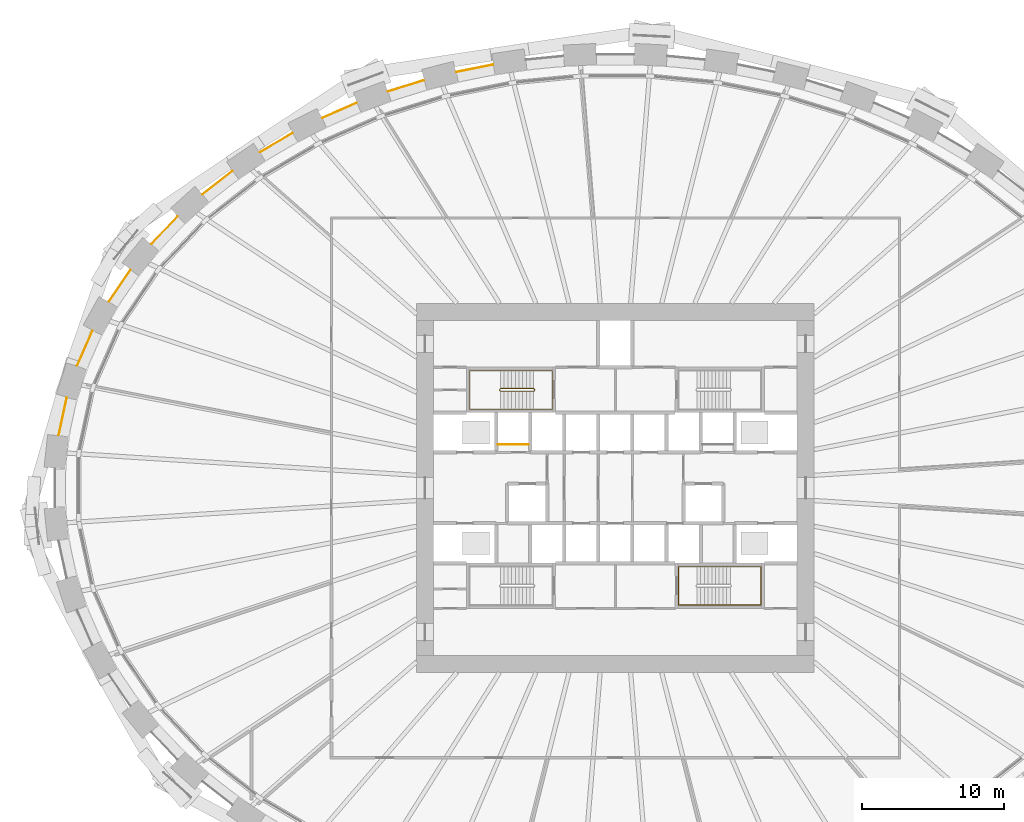
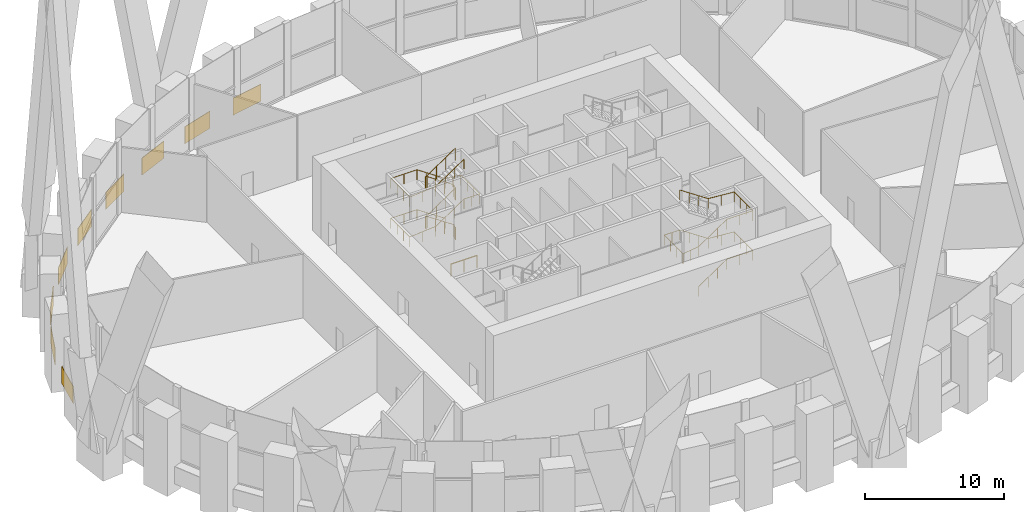
# One storey, part 15 of 17: 9 coverings, 4 railings.
"""IFC4 building model written with IfcOpenShell, lengths in metres."""

from ifc_helpers import new_model, si_unit, direction, frame, origin, origin_2d, place, context, subcontext, project, spatial, rectangle, circle, extrude, source, transform, mapped, material, layer, layer_set, type_object, element, save


model = new_model("IFC4")

# Units and contexts
model_context = context("Model", 3, precision=1e-05, world=origin(), true_north=direction((0.0, 1.0)))
body_context = subcontext(model_context, "Body", "Model", "MODEL_VIEW")
ifc_project = project(units=[si_unit("LENGTHUNIT", "METRE"), si_unit("AREAUNIT", "SQUARE_METRE"), si_unit("VOLUMEUNIT", "CUBIC_METRE"), si_unit("PLANEANGLEUNIT", "RADIAN"), si_unit("MASSUNIT", "GRAM", prefix="KILO")], contexts=[model_context])

# Site, building, storey
site_placement = place(None, origin())
site = spatial("IfcSite", under=ifc_project, at=site_placement, CompositionType="ELEMENT")
building_placement = place(site_placement, origin())
building = spatial("IfcBuilding", under=site, at=building_placement, Name="Embergate Tower", CompositionType="ELEMENT")
storey_placement = place(building_placement, frame((0.0, 0.0, 125.0)))
storey = spatial("IfcBuildingStorey", under=building, at=storey_placement, Name="L27", CompositionType="ELEMENT", Elevation=125.0)

# Coverings
ifc_material_1 = material(Name="Terracotta rainscreen on insulated backing", Category="masonry")
ifc_layer = layer(ifc_material_1, 0.0400390625)
ifc_layer_set = layer_set([ifc_layer], Name="Terracotta rainscreen on insulated backing")
covering_type = type_object("IfcCoveringType", Name="Terracotta rainscreen band", PredefinedType="CLADDING", material=ifc_layer_set)
shared_shape_1 = source(origin(), body_context, "Body", "SweptSolid", [
    extrude(rectangle(XDim=2.6923828125, YDim=0.0400390625, at=origin_2d()), origin(), (0.0, 0.0, 1.0), 1.5),
])
covering_1_placement = place(storey_placement, frame((-38.921142578125, 5.02783203125, -0.75), z_axis=(0.0, 0.0, 1.0), x_axis=(-0.21059460699, -0.977573481385, 0.0)))
element("IfcCovering", 1, at=covering_1_placement, inside=storey, type_object=covering_type, Name="Rainscreen band 21", PredefinedType="CLADDING", context=body_context, shape_type="MappedRepresentation", body=[
    mapped(shared_shape_1, transform((0.0, 0.0, 0.0))),
])
shared_shape_2 = source(origin(), body_context, "Body", "SweptSolid", [
    extrude(rectangle(XDim=2.689453125, YDim=0.0400390625, at=origin_2d()), origin(), (0.0, 0.0, 1.0), 1.5),
])
covering_2_placement = place(storey_placement, frame((-37.367919921875, 9.833984375, -0.75), z_axis=(0.0, 0.0, 1.0), x_axis=(-0.401580173757, -0.915823871738, 0.0)))
element("IfcCovering", 2, at=covering_2_placement, inside=storey, type_object=covering_type, Name="Rainscreen band 20", PredefinedType="CLADDING", context=body_context, shape_type="MappedRepresentation", body=[
    mapped(shared_shape_2, transform((0.0, 0.0, 0.0))),
])
shared_shape_3 = source(origin(), body_context, "Body", "SweptSolid", [
    extrude(rectangle(XDim=2.678466796875, YDim=0.0400390625, at=origin_2d()), origin(), (0.0, 0.0, 1.0), 1.5),
])
covering_3_placement = place(storey_placement, frame((-34.910888671875, 14.234619140625, -0.75), z_axis=(0.0, 0.0, 1.0), x_axis=(-0.562259475515, -0.826960871017, 0.0)))
element("IfcCovering", 3, at=covering_3_placement, inside=storey, type_object=covering_type, Name="Rainscreen band 19", PredefinedType="CLADDING", context=body_context, shape_type="MappedRepresentation", body=[
    mapped(shared_shape_3, transform((0.0, 0.0, 0.0))),
])
shared_shape_4 = source(origin(), body_context, "Body", "SweptSolid", [
    extrude(rectangle(XDim=2.673583984375, YDim=0.0400390625, at=origin_2d()), origin(), (0.0, 0.0, 1.0), 1.5),
])
covering_4_placement = place(storey_placement, frame((-31.751220703125, 18.145751953125, -0.75), z_axis=(0.0, 0.0, 1.0), x_axis=(-0.690075681341, -0.723737213374, 0.0)))
element("IfcCovering", 4, at=covering_4_placement, inside=storey, type_object=covering_type, Name="Rainscreen band 18", PredefinedType="CLADDING", context=body_context, shape_type="MappedRepresentation", body=[
    mapped(shared_shape_4, transform((0.0, 0.0, 0.0))),
])
shared_shape_5 = source(origin(), body_context, "Body", "SweptSolid", [
    extrude(rectangle(XDim=2.666015625, YDim=0.0400390625, at=origin_2d()), origin(), (0.0, 0.0, 1.0), 1.5),
])
covering_5_placement = place(storey_placement, frame((-28.020263671875, 21.4990234375, -0.75), z_axis=(0.0, 0.0, 1.0), x_axis=(-0.788097782822, -0.615550066778, 0.0)))
element("IfcCovering", 5, at=covering_5_placement, inside=storey, type_object=covering_type, Name="Rainscreen band 17", PredefinedType="CLADDING", context=body_context, shape_type="MappedRepresentation", body=[
    mapped(shared_shape_5, transform((0.0, 0.0, 0.0))),
])
shared_shape_6 = source(origin(), body_context, "Body", "SweptSolid", [
    extrude(rectangle(XDim=2.6611328125, YDim=0.0400390625, at=origin_2d()), origin(), (0.0, 0.0, 1.0), 1.5),
])
covering_6_placement = place(storey_placement, frame((-23.880615234375, 24.314453125, -0.75), z_axis=(0.0, 0.0, 1.0), x_axis=(-0.862001858681, -0.506905115017, 0.0)))
element("IfcCovering", 6, at=covering_6_placement, inside=storey, type_object=covering_type, Name="Rainscreen band 16", PredefinedType="CLADDING", context=body_context, shape_type="MappedRepresentation", body=[
    mapped(shared_shape_6, transform((0.0, 0.0, 0.0))),
])
shared_shape_7 = source(origin(), body_context, "Body", "SweptSolid", [
    extrude(rectangle(XDim=2.658203125, YDim=0.0400390625, at=origin_2d()), origin(), (0.0, 0.0, 1.0), 1.5),
])
covering_7_placement = place(storey_placement, frame((-19.427001953125, 26.587158203125, -0.75), z_axis=(0.0, 0.0, 1.0), x_axis=(-0.916399060314, -0.400265864465, 0.0)))
element("IfcCovering", 7, at=covering_7_placement, inside=storey, type_object=covering_type, Name="Rainscreen band 15", PredefinedType="CLADDING", context=body_context, shape_type="MappedRepresentation", body=[
    mapped(shared_shape_7, transform((0.0, 0.0, 0.0))),
])
shared_shape_8 = source(origin(), body_context, "Body", "SweptSolid", [
    extrude(rectangle(XDim=2.654296875, YDim=0.0400390625, at=origin_2d()), origin(), (0.0, 0.0, 1.0), 1.5),
])
covering_8_placement = place(storey_placement, frame((-14.7421875, 28.313232421875, -0.75), z_axis=(0.0, 0.0, 1.0), x_axis=(-0.954680836388, -0.297631484614, 0.0)))
element("IfcCovering", 8, at=covering_8_placement, inside=storey, type_object=covering_type, Name="Rainscreen band 14", PredefinedType="CLADDING", context=body_context, shape_type="MappedRepresentation", body=[
    mapped(shared_shape_8, transform((0.0, 0.0, 0.0))),
])
shared_shape_9 = source(origin(), body_context, "Body", "SweptSolid", [
    extrude(rectangle(XDim=2.65185546875, YDim=0.0400390625, at=origin_2d()), origin(), (0.0, 0.0, 1.0), 1.5),
])
covering_9_placement = place(storey_placement, frame((-9.90869140625, 29.546875, -0.75), z_axis=(0.0, 0.0, 1.0), x_axis=(-0.980435388988, -0.196841174605, 0.0)))
element("IfcCovering", 9, at=covering_9_placement, inside=storey, type_object=covering_type, Name="Rainscreen band 13", PredefinedType="CLADDING", context=body_context, shape_type="MappedRepresentation", body=[
    mapped(shared_shape_9, transform((0.0, 0.0, 0.0))),
])

# Railings
ifc_material_2 = material(Name="Stair guard 1100")
railing_type_1 = type_object("IfcRailingType", Name="Stair guard 1100", PredefinedType="GUARDRAIL", material=ifc_material_2)
shared_shape_10 = source(origin(), body_context, "Body", "SweptSolid", [
    extrude(circle(Radius=0.02392578125, at=origin_2d()), frame((0.0, 0.0, 1.076171875), z_axis=(0.0, 1.0, 0.0), x_axis=(-1.0, 0.0, 0.0)), (0.0, 0.0, 1.0), 0.099853515625),
    extrude(circle(Radius=0.02392578125, at=origin_2d()), frame((0.0, 0.099853515625, 1.076171875), z_axis=(-0.265065253269, 0.265065253269, 0.927081885822), x_axis=(-0.707106781187, -0.707106781187, 0.0)), (0.0, 0.0, 1.0), 0.188720703125),
    extrude(circle(Radius=0.02392578125, at=origin_2d()), frame((-0.050048828125, 0.14990234375, 1.2509765625), z_axis=(-0.829605480656, 0.0, 0.558350021462), x_axis=(0.0, -1.0, 0.0)), (0.0, 0.0, 1.0), 2.82080078125),
    extrude(circle(Radius=0.02392578125, at=origin_2d()), frame((-2.39013671875, 0.14990234375, 2.826171875), z_axis=(-0.705375805398, -0.708833529934, 0.0), x_axis=(0.708833529934, -0.705375805398, 0.0)), (0.0, 0.0, 1.0), 0.070556640625),
    extrude(circle(Radius=0.02392578125, at=origin_2d()), frame((-2.43994140625, 0.099853515625, 2.826171875), z_axis=(0.0, -1.0, 0.0), x_axis=(1.0, 0.0, 0.0)), (0.0, 0.0, 1.0), 0.099853515625),
    extrude(circle(Radius=0.02392578125, at=origin_2d()), frame((-2.43994140625, 0.0, 2.826171875), z_axis=(0.263862480399, -0.265155923931, 0.927399011991), x_axis=(0.708833529934, 0.705375805398, 0.0)), (0.0, 0.0, 1.0), 0.188720703125),
    extrude(circle(Radius=0.02392578125, at=origin_2d()), frame((-2.39013671875, -0.050048828125, 3.0009765625), z_axis=(0.829605480656, 0.0, 0.558350021462), x_axis=(0.0, 1.0, 0.0)), (0.0, 0.0, 1.0), 2.82080078125),
    extrude(circle(Radius=0.02392578125, at=origin_2d()), frame((-0.050048828125, -0.050048828125, 4.576171875), z_axis=(0.707106781187, 0.707106781187, 0.0), x_axis=(-0.707106781187, 0.707106781187, 0.0)), (0.0, 0.0, 1.0), 0.07080078125),
    extrude(circle(Radius=0.02392578125, at=origin_2d()), frame((0.0, 0.0, 4.576171875), z_axis=(0.0, 1.0, 0.0), x_axis=(-1.0, 0.0, 0.0)), (0.0, 0.0, 1.0), 0.099853515625),
    extrude(circle(Radius=0.02392578125, at=origin_2d()), frame((0.0, 0.099853515625, 4.576171875), z_axis=(-0.265065253269, 0.265065253269, 0.927081885822), x_axis=(-0.707106781187, -0.707106781187, 0.0)), (0.0, 0.0, 1.0), 0.188720703125),
    extrude(circle(Radius=0.02392578125, at=origin_2d()), frame((-0.050048828125, 0.14990234375, 4.7509765625), z_axis=(-0.829605480656, 0.0, 0.558350021462), x_axis=(0.0, -1.0, 0.0)), (0.0, 0.0, 1.0), 2.82080078125),
    extrude(circle(Radius=0.02392578125, at=origin_2d()), frame((-2.39013671875, 0.14990234375, 6.326171875), z_axis=(-0.705375805398, -0.708833529934, 0.0), x_axis=(0.708833529934, -0.705375805398, 0.0)), (0.0, 0.0, 1.0), 0.070556640625),
    extrude(circle(Radius=0.02392578125, at=origin_2d()), frame((-2.43994140625, 0.099853515625, 6.326171875), z_axis=(0.0, -1.0, 0.0), x_axis=(1.0, 0.0, 0.0)), (0.0, 0.0, 1.0), 0.099853515625),
    extrude(circle(Radius=0.02392578125, at=origin_2d()), frame((-2.43994140625, 0.0, 6.326171875), z_axis=(0.263862480399, -0.265155923931, 0.927399011991), x_axis=(0.708833529934, 0.705375805398, 0.0)), (0.0, 0.0, 1.0), 0.188720703125),
    extrude(circle(Radius=0.02392578125, at=origin_2d()), frame((-2.39013671875, -0.050048828125, 6.5009765625), z_axis=(0.829605480656, 0.0, 0.558350021462), x_axis=(0.0, 1.0, 0.0)), (0.0, 0.0, 1.0), 2.82080078125),
    extrude(circle(Radius=0.02099609375, at=origin_2d()), origin(), (0.0, 0.0, 1.0), 1.052001953125),
    extrude(circle(Radius=0.02099609375, at=origin_2d()), frame((0.0, 0.099853515625, 0.0)), (0.0, 0.0, 1.0), 1.052001953125),
    extrude(circle(Radius=0.02099609375, at=origin_2d()), frame((-0.050048828125, 0.14990234375, 0.175048828125)), (0.0, 0.0, 1.0), 1.052001953125),
    extrude(circle(Radius=0.02099609375, at=origin_2d()), frame((-0.830078125, 0.14990234375, 0.699951171875)), (0.0, 0.0, 1.0), 1.052001953125),
    extrude(circle(Radius=0.02099609375, at=origin_2d()), frame((-1.610107421875, 0.14990234375, 1.22509765625)), (0.0, 0.0, 1.0), 1.052001953125),
    extrude(circle(Radius=0.02099609375, at=origin_2d()), frame((-2.39013671875, 0.14990234375, 1.75)), (0.0, 0.0, 1.0), 1.052001953125),
    extrude(circle(Radius=0.02099609375, at=origin_2d()), frame((-2.43994140625, 0.099853515625, 1.75)), (0.0, 0.0, 1.0), 1.052001953125),
    extrude(circle(Radius=0.02099609375, at=origin_2d()), frame((-2.43994140625, 0.0, 1.75)), (0.0, 0.0, 1.0), 1.052001953125),
    extrude(circle(Radius=0.02099609375, at=origin_2d()), frame((-2.39013671875, -0.050048828125, 1.925048828125)), (0.0, 0.0, 1.0), 1.052001953125),
    extrude(circle(Radius=0.02099609375, at=origin_2d()), frame((-1.610107421875, -0.050048828125, 2.449951171875)), (0.0, 0.0, 1.0), 1.052001953125),
    extrude(circle(Radius=0.02099609375, at=origin_2d()), frame((-0.830078125, -0.050048828125, 2.97509765625)), (0.0, 0.0, 1.0), 1.052001953125),
    extrude(circle(Radius=0.02099609375, at=origin_2d()), frame((-0.050048828125, -0.050048828125, 3.5)), (0.0, 0.0, 1.0), 1.052001953125),
    extrude(circle(Radius=0.02099609375, at=origin_2d()), frame((0.0, 0.0, 3.5)), (0.0, 0.0, 1.0), 1.052001953125),
    extrude(circle(Radius=0.02099609375, at=origin_2d()), frame((0.0, 0.099853515625, 3.5)), (0.0, 0.0, 1.0), 1.052001953125),
    extrude(circle(Radius=0.02099609375, at=origin_2d()), frame((-0.050048828125, 0.14990234375, 3.675048828125)), (0.0, 0.0, 1.0), 1.052001953125),
    extrude(circle(Radius=0.02099609375, at=origin_2d()), frame((-0.830078125, 0.14990234375, 4.199951171875)), (0.0, 0.0, 1.0), 1.052001953125),
    extrude(circle(Radius=0.02099609375, at=origin_2d()), frame((-1.610107421875, 0.14990234375, 4.72509765625)), (0.0, 0.0, 1.0), 1.052001953125),
    extrude(circle(Radius=0.02099609375, at=origin_2d()), frame((-2.39013671875, 0.14990234375, 5.25)), (0.0, 0.0, 1.0), 1.052001953125),
    extrude(circle(Radius=0.02099609375, at=origin_2d()), frame((-2.43994140625, 0.099853515625, 5.25)), (0.0, 0.0, 1.0), 1.052001953125),
    extrude(circle(Radius=0.02099609375, at=origin_2d()), frame((-2.43994140625, 0.0, 5.25)), (0.0, 0.0, 1.0), 1.052001953125),
    extrude(circle(Radius=0.02099609375, at=origin_2d()), frame((-2.39013671875, -0.050048828125, 5.425048828125)), (0.0, 0.0, 1.0), 1.052001953125),
    extrude(circle(Radius=0.02099609375, at=origin_2d()), frame((-1.610107421875, -0.050048828125, 5.949951171875)), (0.0, 0.0, 1.0), 1.052001953125),
    extrude(circle(Radius=0.02099609375, at=origin_2d()), frame((-0.830078125, -0.050048828125, 6.47509765625)), (0.0, 0.0, 1.0), 1.052001953125),
    extrude(circle(Radius=0.02099609375, at=origin_2d()), frame((-0.050048828125, -0.050048828125, 7.0)), (0.0, 0.0, 1.0), 1.052001953125),
])
railing_1_placement = place(storey_placement, frame((-5.699951171875, 6.85009765625, 0.0)))
element("IfcRailing", 10, at=railing_1_placement, inside=storey, type_object=railing_type_1, Name="L27 ST1 stair guard 1", PredefinedType="GUARDRAIL", context=body_context, shape_type="MappedRepresentation", body=[
    mapped(shared_shape_10, transform((0.0, 0.0, 0.0))),
])
ifc_material_3 = material(Name="Stair handrail 900")
railing_type_2 = type_object("IfcRailingType", Name="Stair handrail 900", PredefinedType="HANDRAIL", material=ifc_material_3)
shared_shape_11 = source(origin(), body_context, "Body", "SweptSolid", [
    extrude(circle(Radius=0.02392578125, at=origin_2d()), frame((0.0, 0.0, 0.8759765625), z_axis=(-0.829605480656, 0.0, 0.558350021462), x_axis=(0.0, -1.0, 0.0)), (0.0, 0.0, 1.0), 2.82080078125),
    extrude(circle(Radius=0.02392578125, at=origin_2d()), frame((-2.340087890625, 0.0, 2.45068359375), z_axis=(-1.0, 0.0, 0.0), x_axis=(0.0, -1.0, 0.0)), (0.0, 0.0, 1.0), 2.159912109375),
    extrude(circle(Radius=0.02392578125, at=origin_2d()), frame((-4.5, 0.0, 2.45068359375), z_axis=(0.0, -1.0, 0.0), x_axis=(1.0, 0.0, 0.0)), (0.0, 0.0, 1.0), 2.699951171875),
    extrude(circle(Radius=0.02392578125, at=origin_2d()), frame((-4.5, -2.699951171875, 2.45068359375), z_axis=(0.996731990761, 0.0, 0.080779567919), x_axis=(0.0, 1.0, 0.0)), (0.0, 0.0, 1.0), 2.1669921875),
    extrude(circle(Radius=0.02392578125, at=origin_2d()), frame((-2.340087890625, -2.699951171875, 2.6259765625), z_axis=(0.829605480656, 0.0, 0.558350021462), x_axis=(0.0, 1.0, 0.0)), (0.0, 0.0, 1.0), 2.82080078125),
    extrude(circle(Radius=0.02392578125, at=origin_2d()), frame((0.0, -2.699951171875, 4.20068359375), z_axis=(1.0, 0.0, 0.0), x_axis=(0.0, 1.0, 0.0)), (0.0, 0.0, 1.0), 1.300048828125),
    extrude(circle(Radius=0.02392578125, at=origin_2d()), frame((1.300048828125, -2.699951171875, 4.20068359375), z_axis=(0.0, 1.0, 0.0), x_axis=(-1.0, 0.0, 0.0)), (0.0, 0.0, 1.0), 2.699951171875),
    extrude(circle(Radius=0.02392578125, at=origin_2d()), frame((1.300048828125, 0.0, 4.20068359375), z_axis=(-0.991056402064, 0.0, 0.133443650757), x_axis=(0.0, -1.0, 0.0)), (0.0, 0.0, 1.0), 1.311767578125),
    extrude(circle(Radius=0.02392578125, at=origin_2d()), frame((0.0, 0.0, 4.3759765625), z_axis=(-0.829605480656, 0.0, 0.558350021462), x_axis=(0.0, -1.0, 0.0)), (0.0, 0.0, 1.0), 2.82080078125),
    extrude(circle(Radius=0.02392578125, at=origin_2d()), frame((-2.340087890625, 0.0, 5.95068359375), z_axis=(-1.0, 0.0, 0.0), x_axis=(0.0, -1.0, 0.0)), (0.0, 0.0, 1.0), 2.159912109375),
    extrude(circle(Radius=0.02392578125, at=origin_2d()), frame((-4.5, 0.0, 5.95068359375), z_axis=(0.0, -1.0, 0.0), x_axis=(1.0, 0.0, 0.0)), (0.0, 0.0, 1.0), 2.699951171875),
    extrude(circle(Radius=0.02392578125, at=origin_2d()), frame((-4.5, -2.699951171875, 5.95068359375), z_axis=(0.996731990761, 0.0, 0.080779567919), x_axis=(0.0, 1.0, 0.0)), (0.0, 0.0, 1.0), 2.1669921875),
    extrude(circle(Radius=0.02392578125, at=origin_2d()), frame((-2.340087890625, -2.699951171875, 6.1259765625), z_axis=(0.829605480656, 0.0, 0.558350021462), x_axis=(0.0, 1.0, 0.0)), (0.0, 0.0, 1.0), 2.82080078125),
    extrude(circle(Radius=0.02099609375, at=origin_2d()), origin(), (0.0, 0.0, 1.0), 0.851806640625),
    extrude(circle(Radius=0.02099609375, at=origin_2d()), frame((-0.780029296875, 0.0, 0.52490234375)), (0.0, 0.0, 1.0), 0.851806640625),
    extrude(circle(Radius=0.02099609375, at=origin_2d()), frame((-1.56005859375, 0.0, 1.050048828125)), (0.0, 0.0, 1.0), 0.851806640625),
    extrude(circle(Radius=0.02099609375, at=origin_2d()), frame((-2.340087890625, 0.0, 1.574951171875)), (0.0, 0.0, 1.0), 0.851806640625),
    extrude(circle(Radius=0.02099609375, at=origin_2d()), frame((-3.419921875, 0.0, 1.574951171875)), (0.0, 0.0, 1.0), 0.851806640625),
    extrude(circle(Radius=0.02099609375, at=origin_2d()), frame((-4.5, 0.0, 1.574951171875)), (0.0, 0.0, 1.0), 0.851806640625),
    extrude(circle(Radius=0.02099609375, at=origin_2d()), frame((-4.5, -0.89990234375, 1.574951171875)), (0.0, 0.0, 1.0), 0.851806640625),
    extrude(circle(Radius=0.02099609375, at=origin_2d()), frame((-4.5, -1.800048828125, 1.574951171875)), (0.0, 0.0, 1.0), 0.851806640625),
    extrude(circle(Radius=0.02099609375, at=origin_2d()), frame((-4.5, -2.699951171875, 1.574951171875)), (0.0, 0.0, 1.0), 0.851806640625),
    extrude(circle(Radius=0.02099609375, at=origin_2d()), frame((-3.419921875, -2.699951171875, 1.66259765625)), (0.0, 0.0, 1.0), 0.851806640625),
    extrude(circle(Radius=0.02099609375, at=origin_2d()), frame((-2.340087890625, -2.699951171875, 1.75)), (0.0, 0.0, 1.0), 0.851806640625),
    extrude(circle(Radius=0.02099609375, at=origin_2d()), frame((-1.56005859375, -2.699951171875, 2.27490234375)), (0.0, 0.0, 1.0), 0.851806640625),
    extrude(circle(Radius=0.02099609375, at=origin_2d()), frame((-0.780029296875, -2.699951171875, 2.800048828125)), (0.0, 0.0, 1.0), 0.851806640625),
    extrude(circle(Radius=0.02099609375, at=origin_2d()), frame((0.0, -2.699951171875, 3.324951171875)), (0.0, 0.0, 1.0), 0.851806640625),
    extrude(circle(Radius=0.02099609375, at=origin_2d()), frame((0.64990234375, -2.699951171875, 3.324951171875)), (0.0, 0.0, 1.0), 0.851806640625),
    extrude(circle(Radius=0.02099609375, at=origin_2d()), frame((1.300048828125, -2.699951171875, 3.324951171875)), (0.0, 0.0, 1.0), 0.851806640625),
    extrude(circle(Radius=0.02099609375, at=origin_2d()), frame((1.300048828125, -1.800048828125, 3.324951171875)), (0.0, 0.0, 1.0), 0.851806640625),
    extrude(circle(Radius=0.02099609375, at=origin_2d()), frame((1.300048828125, -0.89990234375, 3.324951171875)), (0.0, 0.0, 1.0), 0.851806640625),
    extrude(circle(Radius=0.02099609375, at=origin_2d()), frame((1.300048828125, 0.0, 3.324951171875)), (0.0, 0.0, 1.0), 0.851806640625),
    extrude(circle(Radius=0.02099609375, at=origin_2d()), frame((0.64990234375, 0.0, 3.41259765625)), (0.0, 0.0, 1.0), 0.851806640625),
    extrude(circle(Radius=0.02099609375, at=origin_2d()), frame((0.0, 0.0, 3.5)), (0.0, 0.0, 1.0), 0.851806640625),
    extrude(circle(Radius=0.02099609375, at=origin_2d()), frame((-0.780029296875, 0.0, 4.02490234375)), (0.0, 0.0, 1.0), 0.851806640625),
    extrude(circle(Radius=0.02099609375, at=origin_2d()), frame((-1.56005859375, 0.0, 4.550048828125)), (0.0, 0.0, 1.0), 0.851806640625),
    extrude(circle(Radius=0.02099609375, at=origin_2d()), frame((-2.340087890625, 0.0, 5.074951171875)), (0.0, 0.0, 1.0), 0.851806640625),
    extrude(circle(Radius=0.02099609375, at=origin_2d()), frame((-3.419921875, 0.0, 5.074951171875)), (0.0, 0.0, 1.0), 0.851806640625),
    extrude(circle(Radius=0.02099609375, at=origin_2d()), frame((-4.5, 0.0, 5.074951171875)), (0.0, 0.0, 1.0), 0.851806640625),
    extrude(circle(Radius=0.02099609375, at=origin_2d()), frame((-4.5, -0.89990234375, 5.074951171875)), (0.0, 0.0, 1.0), 0.851806640625),
    extrude(circle(Radius=0.02099609375, at=origin_2d()), frame((-4.5, -1.800048828125, 5.074951171875)), (0.0, 0.0, 1.0), 0.851806640625),
    extrude(circle(Radius=0.02099609375, at=origin_2d()), frame((-4.5, -2.699951171875, 5.074951171875)), (0.0, 0.0, 1.0), 0.851806640625),
    extrude(circle(Radius=0.02099609375, at=origin_2d()), frame((-3.419921875, -2.699951171875, 5.16259765625)), (0.0, 0.0, 1.0), 0.851806640625),
    extrude(circle(Radius=0.02099609375, at=origin_2d()), frame((-2.340087890625, -2.699951171875, 5.25)), (0.0, 0.0, 1.0), 0.851806640625),
    extrude(circle(Radius=0.02099609375, at=origin_2d()), frame((-1.56005859375, -2.699951171875, 5.77490234375)), (0.0, 0.0, 1.0), 0.851806640625),
    extrude(circle(Radius=0.02099609375, at=origin_2d()), frame((-0.780029296875, -2.699951171875, 6.300048828125)), (0.0, 0.0, 1.0), 0.851806640625),
    extrude(circle(Radius=0.02099609375, at=origin_2d()), frame((0.0, -2.699951171875, 6.824951171875)), (0.0, 0.0, 1.0), 0.851806640625),
])
railing_2_placement = place(storey_placement, frame((-5.75, 8.25, 0.175048828125)))
element("IfcRailing", 11, at=railing_2_placement, inside=storey, type_object=railing_type_2, Name="L27 ST1 stair handrail 1", PredefinedType="HANDRAIL", context=body_context, shape_type="MappedRepresentation", body=[
    mapped(shared_shape_11, transform((0.0, 0.0, 0.0))),
])
shared_shape_12 = source(origin(), body_context, "Body", "SweptSolid", [
    extrude(circle(Radius=0.02392578125, at=origin_2d()), frame((0.0, 0.0, 0.8759765625), z_axis=(0.829605480656, 0.0, 0.558350021462), x_axis=(0.0, 1.0, 0.0)), (0.0, 0.0, 1.0), 2.82080078125),
    extrude(circle(Radius=0.02392578125, at=origin_2d()), frame((2.340087890625, 0.0, 2.45068359375), z_axis=(1.0, 0.0, 0.0), x_axis=(0.0, 1.0, 0.0)), (0.0, 0.0, 1.0), 2.159912109375),
    extrude(circle(Radius=0.02392578125, at=origin_2d()), frame((4.5, 0.0, 2.45068359375), z_axis=(0.0, 1.0, 0.0), x_axis=(-1.0, 0.0, 0.0)), (0.0, 0.0, 1.0), 2.699951171875),
    extrude(circle(Radius=0.02392578125, at=origin_2d()), frame((4.5, 2.699951171875, 2.45068359375), z_axis=(-0.996731990761, 0.0, 0.080779567919), x_axis=(0.0, -1.0, 0.0)), (0.0, 0.0, 1.0), 2.1669921875),
    extrude(circle(Radius=0.02392578125, at=origin_2d()), frame((2.340087890625, 2.699951171875, 2.6259765625), z_axis=(-0.829605480656, 0.0, 0.558350021462), x_axis=(0.0, -1.0, 0.0)), (0.0, 0.0, 1.0), 2.82080078125),
    extrude(circle(Radius=0.02392578125, at=origin_2d()), frame((0.0, 2.699951171875, 4.20068359375), z_axis=(-1.0, 0.0, 0.0), x_axis=(0.0, -1.0, 0.0)), (0.0, 0.0, 1.0), 1.300048828125),
    extrude(circle(Radius=0.02392578125, at=origin_2d()), frame((-1.300048828125, 2.699951171875, 4.20068359375), z_axis=(0.0, -1.0, 0.0), x_axis=(1.0, 0.0, 0.0)), (0.0, 0.0, 1.0), 2.699951171875),
    extrude(circle(Radius=0.02392578125, at=origin_2d()), frame((-1.300048828125, 0.0, 4.20068359375), z_axis=(0.991056402064, 0.0, 0.133443650757), x_axis=(0.0, 1.0, 0.0)), (0.0, 0.0, 1.0), 1.311767578125),
    extrude(circle(Radius=0.02392578125, at=origin_2d()), frame((0.0, 0.0, 4.3759765625), z_axis=(0.829605480656, 0.0, 0.558350021462), x_axis=(0.0, 1.0, 0.0)), (0.0, 0.0, 1.0), 2.82080078125),
    extrude(circle(Radius=0.02392578125, at=origin_2d()), frame((2.340087890625, 0.0, 5.95068359375), z_axis=(1.0, 0.0, 0.0), x_axis=(0.0, 1.0, 0.0)), (0.0, 0.0, 1.0), 2.159912109375),
    extrude(circle(Radius=0.02392578125, at=origin_2d()), frame((4.5, 0.0, 5.95068359375), z_axis=(0.0, 1.0, 0.0), x_axis=(-1.0, 0.0, 0.0)), (0.0, 0.0, 1.0), 2.699951171875),
    extrude(circle(Radius=0.02392578125, at=origin_2d()), frame((4.5, 2.699951171875, 5.95068359375), z_axis=(-0.996731990761, 0.0, 0.080779567919), x_axis=(0.0, -1.0, 0.0)), (0.0, 0.0, 1.0), 2.1669921875),
    extrude(circle(Radius=0.02392578125, at=origin_2d()), frame((2.340087890625, 2.699951171875, 6.1259765625), z_axis=(-0.829605480656, 0.0, 0.558350021462), x_axis=(0.0, -1.0, 0.0)), (0.0, 0.0, 1.0), 2.82080078125),
    extrude(circle(Radius=0.02099609375, at=origin_2d()), origin(), (0.0, 0.0, 1.0), 0.851806640625),
    extrude(circle(Radius=0.02099609375, at=origin_2d()), frame((0.780029296875, 0.0, 0.52490234375)), (0.0, 0.0, 1.0), 0.851806640625),
    extrude(circle(Radius=0.02099609375, at=origin_2d()), frame((1.56005859375, 0.0, 1.050048828125)), (0.0, 0.0, 1.0), 0.851806640625),
    extrude(circle(Radius=0.02099609375, at=origin_2d()), frame((2.340087890625, 0.0, 1.574951171875)), (0.0, 0.0, 1.0), 0.851806640625),
    extrude(circle(Radius=0.02099609375, at=origin_2d()), frame((3.419921875, 0.0, 1.574951171875)), (0.0, 0.0, 1.0), 0.851806640625),
    extrude(circle(Radius=0.02099609375, at=origin_2d()), frame((4.5, 0.0, 1.574951171875)), (0.0, 0.0, 1.0), 0.851806640625),
    extrude(circle(Radius=0.02099609375, at=origin_2d()), frame((4.5, 0.89990234375, 1.574951171875)), (0.0, 0.0, 1.0), 0.851806640625),
    extrude(circle(Radius=0.02099609375, at=origin_2d()), frame((4.5, 1.800048828125, 1.574951171875)), (0.0, 0.0, 1.0), 0.851806640625),
    extrude(circle(Radius=0.02099609375, at=origin_2d()), frame((4.5, 2.699951171875, 1.574951171875)), (0.0, 0.0, 1.0), 0.851806640625),
    extrude(circle(Radius=0.02099609375, at=origin_2d()), frame((3.419921875, 2.699951171875, 1.66259765625)), (0.0, 0.0, 1.0), 0.851806640625),
    extrude(circle(Radius=0.02099609375, at=origin_2d()), frame((2.340087890625, 2.699951171875, 1.75)), (0.0, 0.0, 1.0), 0.851806640625),
    extrude(circle(Radius=0.02099609375, at=origin_2d()), frame((1.56005859375, 2.699951171875, 2.27490234375)), (0.0, 0.0, 1.0), 0.851806640625),
    extrude(circle(Radius=0.02099609375, at=origin_2d()), frame((0.780029296875, 2.699951171875, 2.800048828125)), (0.0, 0.0, 1.0), 0.851806640625),
    extrude(circle(Radius=0.02099609375, at=origin_2d()), frame((0.0, 2.699951171875, 3.324951171875)), (0.0, 0.0, 1.0), 0.851806640625),
    extrude(circle(Radius=0.02099609375, at=origin_2d()), frame((-0.64990234375, 2.699951171875, 3.324951171875)), (0.0, 0.0, 1.0), 0.851806640625),
    extrude(circle(Radius=0.02099609375, at=origin_2d()), frame((-1.300048828125, 2.699951171875, 3.324951171875)), (0.0, 0.0, 1.0), 0.851806640625),
    extrude(circle(Radius=0.02099609375, at=origin_2d()), frame((-1.300048828125, 1.800048828125, 3.324951171875)), (0.0, 0.0, 1.0), 0.851806640625),
    extrude(circle(Radius=0.02099609375, at=origin_2d()), frame((-1.300048828125, 0.89990234375, 3.324951171875)), (0.0, 0.0, 1.0), 0.851806640625),
    extrude(circle(Radius=0.02099609375, at=origin_2d()), frame((-1.300048828125, 0.0, 3.324951171875)), (0.0, 0.0, 1.0), 0.851806640625),
    extrude(circle(Radius=0.02099609375, at=origin_2d()), frame((-0.64990234375, 0.0, 3.41259765625)), (0.0, 0.0, 1.0), 0.851806640625),
    extrude(circle(Radius=0.02099609375, at=origin_2d()), frame((0.0, 0.0, 3.5)), (0.0, 0.0, 1.0), 0.851806640625),
    extrude(circle(Radius=0.02099609375, at=origin_2d()), frame((0.780029296875, 0.0, 4.02490234375)), (0.0, 0.0, 1.0), 0.851806640625),
    extrude(circle(Radius=0.02099609375, at=origin_2d()), frame((1.56005859375, 0.0, 4.550048828125)), (0.0, 0.0, 1.0), 0.851806640625),
    extrude(circle(Radius=0.02099609375, at=origin_2d()), frame((2.340087890625, 0.0, 5.074951171875)), (0.0, 0.0, 1.0), 0.851806640625),
    extrude(circle(Radius=0.02099609375, at=origin_2d()), frame((3.419921875, 0.0, 5.074951171875)), (0.0, 0.0, 1.0), 0.851806640625),
    extrude(circle(Radius=0.02099609375, at=origin_2d()), frame((4.5, 0.0, 5.074951171875)), (0.0, 0.0, 1.0), 0.851806640625),
    extrude(circle(Radius=0.02099609375, at=origin_2d()), frame((4.5, 0.89990234375, 5.074951171875)), (0.0, 0.0, 1.0), 0.851806640625),
    extrude(circle(Radius=0.02099609375, at=origin_2d()), frame((4.5, 1.800048828125, 5.074951171875)), (0.0, 0.0, 1.0), 0.851806640625),
    extrude(circle(Radius=0.02099609375, at=origin_2d()), frame((4.5, 2.699951171875, 5.074951171875)), (0.0, 0.0, 1.0), 0.851806640625),
    extrude(circle(Radius=0.02099609375, at=origin_2d()), frame((3.419921875, 2.699951171875, 5.16259765625)), (0.0, 0.0, 1.0), 0.851806640625),
    extrude(circle(Radius=0.02099609375, at=origin_2d()), frame((2.340087890625, 2.699951171875, 5.25)), (0.0, 0.0, 1.0), 0.851806640625),
    extrude(circle(Radius=0.02099609375, at=origin_2d()), frame((1.56005859375, 2.699951171875, 5.77490234375)), (0.0, 0.0, 1.0), 0.851806640625),
    extrude(circle(Radius=0.02099609375, at=origin_2d()), frame((0.780029296875, 2.699951171875, 6.300048828125)), (0.0, 0.0, 1.0), 0.851806640625),
    extrude(circle(Radius=0.02099609375, at=origin_2d()), frame((0.0, 2.699951171875, 6.824951171875)), (0.0, 0.0, 1.0), 0.851806640625),
])
railing_3_placement = place(storey_placement, frame((5.75, -8.25, 0.175048828125)))
element("IfcRailing", 12, at=railing_3_placement, inside=storey, type_object=railing_type_2, Name="L27 ST4 stair handrail 1", PredefinedType="HANDRAIL", context=body_context, shape_type="MappedRepresentation", body=[
    mapped(shared_shape_12, transform((0.0, 0.0, 0.0))),
])
ifc_material_4 = material(Name="Opening guard 1100")
railing_type_3 = type_object("IfcRailingType", Name="Opening guard 1100", PredefinedType="GUARDRAIL", material=ifc_material_4)
shared_shape_13 = source(origin(), body_context, "Body", "SweptSolid", [
    extrude(circle(Radius=0.02392578125, at=origin_2d()), frame((0.0, 0.0, 1.076171875), z_axis=(1.0, 0.0, 0.0), x_axis=(0.0, 1.0, 0.0)), (0.0, 0.0, 1.0), 2.14990234375),
    extrude(circle(Radius=0.02099609375, at=origin_2d()), origin(), (0.0, 0.0, 1.0), 1.052001953125),
    extrude(circle(Radius=0.02099609375, at=origin_2d()), frame((1.074951171875, 0.0, 0.0)), (0.0, 0.0, 1.0), 1.052001953125),
    extrude(circle(Radius=0.02099609375, at=origin_2d()), frame((2.14990234375, 0.0, 0.0)), (0.0, 0.0, 1.0), 1.052001953125),
])
railing_4_placement = place(storey_placement, frame((-8.27490234375, 3.050048828125, 0.0)))
element("IfcRailing", 13, at=railing_4_placement, inside=storey, type_object=railing_type_3, Name="Riser opening guard", PredefinedType="GUARDRAIL", context=body_context, shape_type="MappedRepresentation", body=[
    mapped(shared_shape_13, transform((0.0, 0.0, 0.0))),
])

save(model, "model.ifc")
